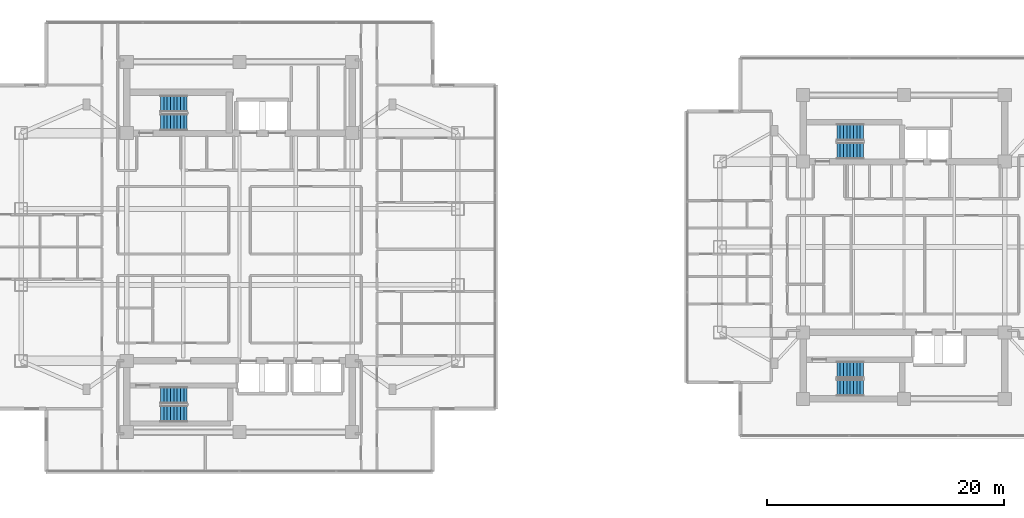
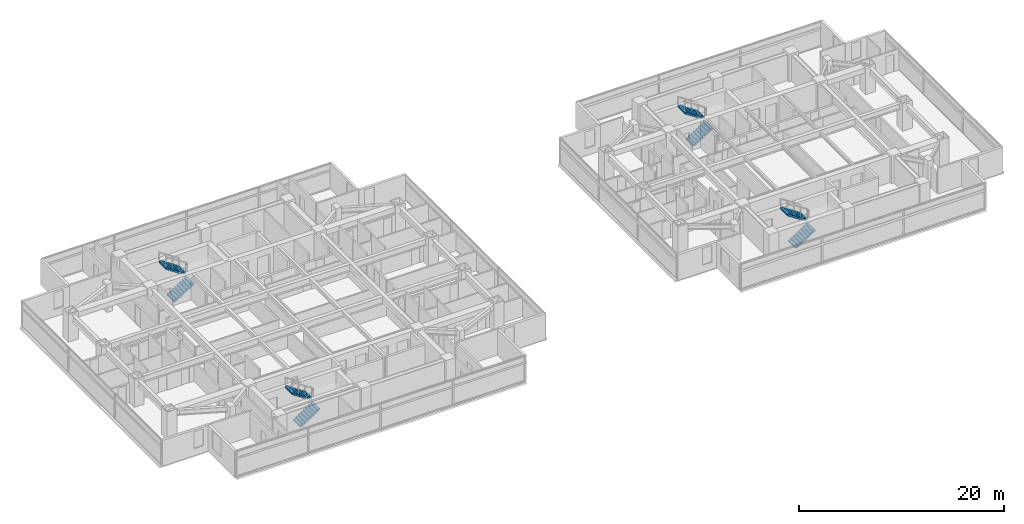
# One storey, part 18 of 24: 8 stair flights, 4 elements without a shape of their own.
"""IFC4 building model written with IfcOpenShell, lengths in metres."""

from ifc_helpers import new_model, si_unit, direction, frame, origin, place, context, subcontext, project, spatial, polyline, outline, extrude, material, type_object, element, aggregate, save


model = new_model("IFC4")

# Units and contexts
model_context = context("Model", 3, precision=1e-05, world=origin(), true_north=direction((0.0, 1.0)))
body_context = subcontext(model_context, "Body", "Model", "MODEL_VIEW")
ifc_project = project(units=[si_unit("LENGTHUNIT", "METRE"), si_unit("AREAUNIT", "SQUARE_METRE"), si_unit("VOLUMEUNIT", "CUBIC_METRE"), si_unit("PLANEANGLEUNIT", "RADIAN"), si_unit("MASSUNIT", "GRAM", prefix="KILO")], contexts=[model_context])

# Site, building, storey
site_placement = place(None, origin())
site = spatial("IfcSite", under=ifc_project, at=site_placement, CompositionType="ELEMENT")
building_placement = place(site_placement, origin())
building = spatial("IfcBuilding", under=site, at=building_placement, Name="Mirazonda Arch Towers", CompositionType="ELEMENT")
storey_placement = place(building_placement, frame((0.0, 0.0, 137.89990234375)))
storey = spatial("IfcBuildingStorey", under=building, at=storey_placement, Name="L39", CompositionType="ELEMENT", Elevation=137.89990234375)

# Stair, stair flights
ifc_material = material(Name="Concrete C40/50", Category="concrete")
stair_type = type_object("IfcStairType", Name="STAIR-CORE-1400", PredefinedType="HALF_TURN_STAIR", material=ifc_material)
stair_1_placement = place(storey_placement, origin())
stair_1 = element("IfcStair", 1, at=stair_1_placement, inside=storey, type_object=stair_type, Name="L39 Protected Exit Stair ST-T1N", PredefinedType="HALF_TURN_STAIR")
stair_flight_type = type_object("IfcStairFlightType", Name="FLIGHT-1400", PredefinedType="STRAIGHT", material=ifc_material)
stair_flight_1_placement = place(storey_placement, frame((13.85009765625, 38.52001953125, 0.0), z_axis=(0.0, 0.0, 1.0), x_axis=(1.0, 0.0, 0.0)))
stair_flight_1 = element("IfcStairFlight", 2, at=stair_flight_1_placement, type_object=stair_flight_type, Name="ST-T1N flight 1", NumberOfRisers=9, NumberOfTreads=8, PredefinedType="STRAIGHT", RiserHeight=0.183333333, TreadLength=0.28, context=body_context, shape_type="SweptSolid", body=[
    extrude(outline(polyline([(0.0, 0.0), (0.0, 0.183349609375), (0.280029296875, 0.183349609375), (0.280029296875, 0.36669921875), (0.56005859375, 0.36669921875), (0.56005859375, 0.550048828125), (0.840087890625, 0.550048828125), (0.840087890625, 0.7333984375), (1.1201171875, 0.7333984375), (1.1201171875, 0.916748046875), (1.39990234375, 0.916748046875), (1.39990234375, 1.10009765625), (1.679931640625, 1.10009765625), (1.679931640625, 1.283447265625), (1.9599609375, 1.283447265625), (1.9599609375, 1.466552734375), (2.239990234375, 1.466552734375), (2.239990234375, 1.64990234375), (2.239990234375, 1.275634765625), (0.2919921875, 0.0), (0.0, 0.0)])), frame((0.0, 0.699951171875, 0.0), z_axis=(0.0, -1.0, 0.0), x_axis=(1.0, 0.0, 0.0)), (0.0, 0.0, 1.0), 1.39990234375),
])
stair_flight_2_placement = place(storey_placement, frame((16.090087890625, 40.06005859375, 1.650146484375), z_axis=(0.0, 0.0, 1.0), x_axis=(-1.0, 0.0, 0.0)))
stair_flight_2 = element("IfcStairFlight", 3, at=stair_flight_2_placement, type_object=stair_flight_type, Name="ST-T1N flight 2", NumberOfRisers=9, NumberOfTreads=8, PredefinedType="STRAIGHT", RiserHeight=0.183333333, TreadLength=0.28, context=body_context, shape_type="SweptSolid", body=[
    extrude(outline(polyline([(0.0, 0.0), (0.0, 0.183349609375), (0.280029296875, 0.183349609375), (0.280029296875, 0.36669921875), (0.56005859375, 0.36669921875), (0.56005859375, 0.550048828125), (0.840087890625, 0.550048828125), (0.840087890625, 0.7333984375), (1.1201171875, 0.7333984375), (1.1201171875, 0.916748046875), (1.39990234375, 0.916748046875), (1.39990234375, 1.10009765625), (1.679931640625, 1.10009765625), (1.679931640625, 1.283447265625), (1.9599609375, 1.283447265625), (1.9599609375, 1.466552734375), (2.239990234375, 1.466552734375), (2.239990234375, 1.64990234375), (2.239990234375, 1.275634765625), (0.2919921875, 0.0), (0.0, 0.0)])), frame((0.0, 0.699951171875, 0.0), z_axis=(0.0, -1.0, 0.0), x_axis=(1.0, 0.0, 0.0)), (0.0, 0.0, 1.0), 1.39990234375),
])
aggregate(stair_1, [stair_flight_1, stair_flight_2])

stair_2_placement = place(storey_placement, origin())
stair_2 = element("IfcStair", 4, at=stair_2_placement, inside=storey, type_object=stair_type, Name="L39 Protected Exit Stair ST-T1S", PredefinedType="HALF_TURN_STAIR")
stair_flight_3_placement = place(storey_placement, frame((13.85009765625, 13.949951171875, 0.0), z_axis=(0.0, 0.0, 1.0), x_axis=(1.0, 0.0, 0.0)))
stair_flight_3 = element("IfcStairFlight", 5, at=stair_flight_3_placement, type_object=stair_flight_type, Name="ST-T1S flight 1", NumberOfRisers=9, NumberOfTreads=8, PredefinedType="STRAIGHT", RiserHeight=0.183333333, TreadLength=0.28, context=body_context, shape_type="SweptSolid", body=[
    extrude(outline(polyline([(0.0, 0.0), (0.0, 0.183349609375), (0.280029296875, 0.183349609375), (0.280029296875, 0.36669921875), (0.56005859375, 0.36669921875), (0.56005859375, 0.550048828125), (0.840087890625, 0.550048828125), (0.840087890625, 0.7333984375), (1.1201171875, 0.7333984375), (1.1201171875, 0.916748046875), (1.39990234375, 0.916748046875), (1.39990234375, 1.10009765625), (1.679931640625, 1.10009765625), (1.679931640625, 1.283447265625), (1.9599609375, 1.283447265625), (1.9599609375, 1.466552734375), (2.239990234375, 1.466552734375), (2.239990234375, 1.64990234375), (2.239990234375, 1.275634765625), (0.2919921875, 0.0), (0.0, 0.0)])), frame((0.0, 0.699951171875, 0.0), z_axis=(0.0, -1.0, 0.0), x_axis=(1.0, 0.0, 0.0)), (0.0, 0.0, 1.0), 1.39990234375),
])
stair_flight_4_placement = place(storey_placement, frame((16.090087890625, 15.489990234375, 1.650146484375), z_axis=(0.0, 0.0, 1.0), x_axis=(-1.0, 0.0, 0.0)))
stair_flight_4 = element("IfcStairFlight", 6, at=stair_flight_4_placement, type_object=stair_flight_type, Name="ST-T1S flight 2", NumberOfRisers=9, NumberOfTreads=8, PredefinedType="STRAIGHT", RiserHeight=0.183333333, TreadLength=0.28, context=body_context, shape_type="SweptSolid", body=[
    extrude(outline(polyline([(0.0, 0.0), (0.0, 0.183349609375), (0.280029296875, 0.183349609375), (0.280029296875, 0.36669921875), (0.56005859375, 0.36669921875), (0.56005859375, 0.550048828125), (0.840087890625, 0.550048828125), (0.840087890625, 0.7333984375), (1.1201171875, 0.7333984375), (1.1201171875, 0.916748046875), (1.39990234375, 0.916748046875), (1.39990234375, 1.10009765625), (1.679931640625, 1.10009765625), (1.679931640625, 1.283447265625), (1.9599609375, 1.283447265625), (1.9599609375, 1.466552734375), (2.239990234375, 1.466552734375), (2.239990234375, 1.64990234375), (2.239990234375, 1.275634765625), (0.2919921875, 0.0), (0.0, 0.0)])), frame((0.0, 0.699951171875, 0.0), z_axis=(0.0, -1.0, 0.0), x_axis=(1.0, 0.0, 0.0)), (0.0, 0.0, 1.0), 1.39990234375),
])
aggregate(stair_2, [stair_flight_3, stair_flight_4])

stair_3_placement = place(storey_placement, origin())
stair_3 = element("IfcStair", 7, at=stair_3_placement, inside=storey, type_object=stair_type, Name="L39 Protected Exit Stair ST-T2N", PredefinedType="HALF_TURN_STAIR")
stair_flight_5_placement = place(storey_placement, frame((70.85009765625, 36.1201171875, 0.0), z_axis=(0.0, 0.0, 1.0), x_axis=(1.0, 0.0, 0.0)))
stair_flight_5 = element("IfcStairFlight", 8, at=stair_flight_5_placement, type_object=stair_flight_type, Name="ST-T2N flight 1", NumberOfRisers=9, NumberOfTreads=8, PredefinedType="STRAIGHT", RiserHeight=0.183333333, TreadLength=0.28, context=body_context, shape_type="SweptSolid", body=[
    extrude(outline(polyline([(0.0, 0.0), (0.0, 0.183349609375), (0.280029296875, 0.183349609375), (0.280029296875, 0.36669921875), (0.56005859375, 0.36669921875), (0.56005859375, 0.550048828125), (0.840087890625, 0.550048828125), (0.840087890625, 0.7333984375), (1.1201171875, 0.7333984375), (1.1201171875, 0.916748046875), (1.39990234375, 0.916748046875), (1.39990234375, 1.10009765625), (1.679931640625, 1.10009765625), (1.679931640625, 1.283447265625), (1.9599609375, 1.283447265625), (1.9599609375, 1.466552734375), (2.239990234375, 1.466552734375), (2.239990234375, 1.64990234375), (2.239990234375, 1.275634765625), (0.2919921875, 0.0), (0.0, 0.0)])), frame((0.0, 0.699951171875, 0.0), z_axis=(0.0, -1.0, 0.0), x_axis=(1.0, 0.0, 0.0)), (0.0, 0.0, 1.0), 1.39990234375),
])
stair_flight_6_placement = place(storey_placement, frame((73.090087890625, 37.659912109375, 1.650146484375), z_axis=(0.0, 0.0, 1.0), x_axis=(-1.0, 0.0, 0.0)))
stair_flight_6 = element("IfcStairFlight", 9, at=stair_flight_6_placement, type_object=stair_flight_type, Name="ST-T2N flight 2", NumberOfRisers=9, NumberOfTreads=8, PredefinedType="STRAIGHT", RiserHeight=0.183333333, TreadLength=0.28, context=body_context, shape_type="SweptSolid", body=[
    extrude(outline(polyline([(0.0, 0.0), (0.0, 0.183349609375), (0.280029296875, 0.183349609375), (0.280029296875, 0.36669921875), (0.56005859375, 0.36669921875), (0.56005859375, 0.550048828125), (0.840087890625, 0.550048828125), (0.840087890625, 0.7333984375), (1.1201171875, 0.7333984375), (1.1201171875, 0.916748046875), (1.39990234375, 0.916748046875), (1.39990234375, 1.10009765625), (1.679931640625, 1.10009765625), (1.679931640625, 1.283447265625), (1.9599609375, 1.283447265625), (1.9599609375, 1.466552734375), (2.239990234375, 1.466552734375), (2.239990234375, 1.64990234375), (2.239990234375, 1.275634765625), (0.2919921875, 0.0), (0.0, 0.0)])), frame((0.0, 0.699951171875, 0.0), z_axis=(0.0, -1.0, 0.0), x_axis=(1.0, 0.0, 0.0)), (0.0, 0.0, 1.0), 1.39990234375),
])
aggregate(stair_3, [stair_flight_5, stair_flight_6])

stair_4_placement = place(storey_placement, origin())
stair_4 = element("IfcStair", 10, at=stair_4_placement, inside=storey, type_object=stair_type, Name="L39 Protected Exit Stair ST-T2S", PredefinedType="HALF_TURN_STAIR")
stair_flight_7_placement = place(storey_placement, frame((70.85009765625, 16.1201171875, 0.0), z_axis=(0.0, 0.0, 1.0), x_axis=(1.0, 0.0, 0.0)))
stair_flight_7 = element("IfcStairFlight", 11, at=stair_flight_7_placement, type_object=stair_flight_type, Name="ST-T2S flight 1", NumberOfRisers=9, NumberOfTreads=8, PredefinedType="STRAIGHT", RiserHeight=0.183333333, TreadLength=0.28, context=body_context, shape_type="SweptSolid", body=[
    extrude(outline(polyline([(0.0, 0.0), (0.0, 0.183349609375), (0.280029296875, 0.183349609375), (0.280029296875, 0.36669921875), (0.56005859375, 0.36669921875), (0.56005859375, 0.550048828125), (0.840087890625, 0.550048828125), (0.840087890625, 0.7333984375), (1.1201171875, 0.7333984375), (1.1201171875, 0.916748046875), (1.39990234375, 0.916748046875), (1.39990234375, 1.10009765625), (1.679931640625, 1.10009765625), (1.679931640625, 1.283447265625), (1.9599609375, 1.283447265625), (1.9599609375, 1.466552734375), (2.239990234375, 1.466552734375), (2.239990234375, 1.64990234375), (2.239990234375, 1.275634765625), (0.2919921875, 0.0), (0.0, 0.0)])), frame((0.0, 0.699951171875, 0.0), z_axis=(0.0, -1.0, 0.0), x_axis=(1.0, 0.0, 0.0)), (0.0, 0.0, 1.0), 1.39990234375),
])
stair_flight_8_placement = place(storey_placement, frame((73.090087890625, 17.659912109375, 1.650146484375), z_axis=(0.0, 0.0, 1.0), x_axis=(-1.0, 0.0, 0.0)))
stair_flight_8 = element("IfcStairFlight", 12, at=stair_flight_8_placement, type_object=stair_flight_type, Name="ST-T2S flight 2", NumberOfRisers=9, NumberOfTreads=8, PredefinedType="STRAIGHT", RiserHeight=0.183333333, TreadLength=0.28, context=body_context, shape_type="SweptSolid", body=[
    extrude(outline(polyline([(0.0, 0.0), (0.0, 0.183349609375), (0.280029296875, 0.183349609375), (0.280029296875, 0.36669921875), (0.56005859375, 0.36669921875), (0.56005859375, 0.550048828125), (0.840087890625, 0.550048828125), (0.840087890625, 0.7333984375), (1.1201171875, 0.7333984375), (1.1201171875, 0.916748046875), (1.39990234375, 0.916748046875), (1.39990234375, 1.10009765625), (1.679931640625, 1.10009765625), (1.679931640625, 1.283447265625), (1.9599609375, 1.283447265625), (1.9599609375, 1.466552734375), (2.239990234375, 1.466552734375), (2.239990234375, 1.64990234375), (2.239990234375, 1.275634765625), (0.2919921875, 0.0), (0.0, 0.0)])), frame((0.0, 0.699951171875, 0.0), z_axis=(0.0, -1.0, 0.0), x_axis=(1.0, 0.0, 0.0)), (0.0, 0.0, 1.0), 1.39990234375),
])
aggregate(stair_4, [stair_flight_7, stair_flight_8])

save(model, "model.ifc")
